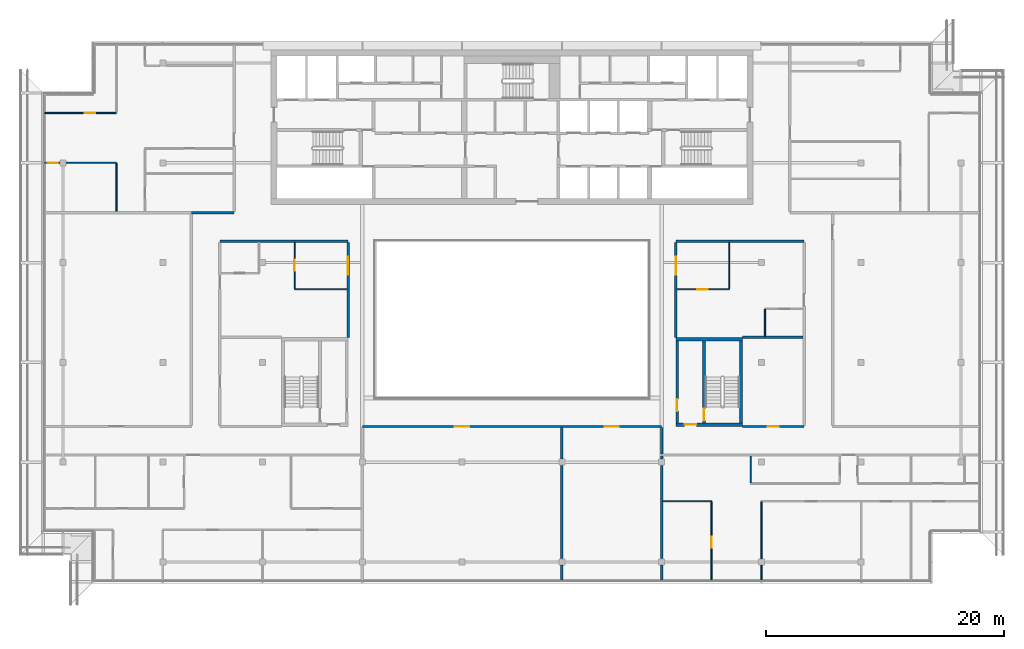
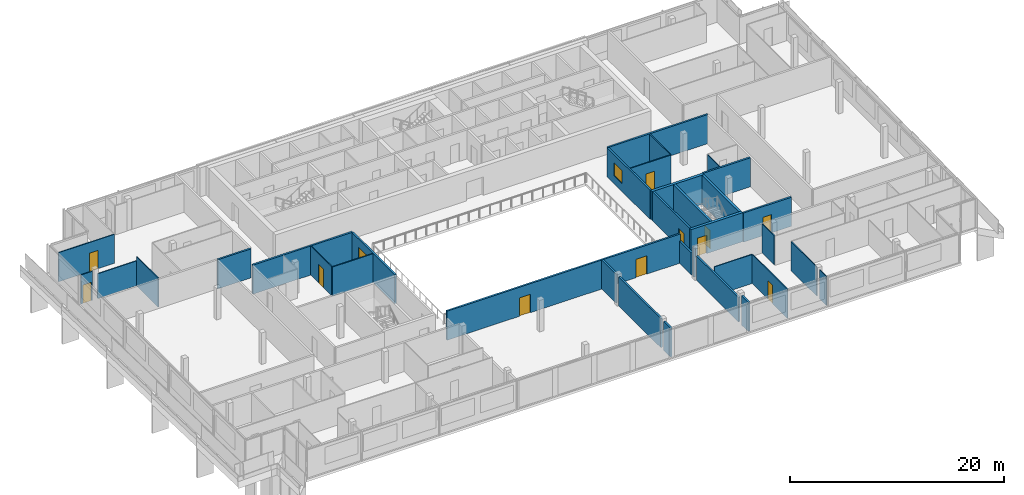
# One storey, part 17 of 27: 34 walls, 11 doors, 2 windows, 13 openings.
"""IFC4 building model written with IfcOpenShell, lengths in metres."""

from ifc_helpers import new_model, si_unit, direction, frame, frame_2d, origin, place, context, subcontext, project, spatial, rectangle, extrude, material, layer, layer_set, type_object, element, fill, save


model = new_model("IFC4")

# Units and contexts
model_context = context("Model", 3, precision=1e-05, world=origin(), true_north=direction((0.0, 1.0)))
body_context = subcontext(model_context, "Body", "Model", "MODEL_VIEW")
ifc_project = project(units=[si_unit("LENGTHUNIT", "METRE"), si_unit("AREAUNIT", "SQUARE_METRE"), si_unit("VOLUMEUNIT", "CUBIC_METRE"), si_unit("PLANEANGLEUNIT", "RADIAN"), si_unit("MASSUNIT", "GRAM", prefix="KILO")], contexts=[model_context])

# Site, building, storey
site_placement = place(None, origin())
site = spatial("IfcSite", under=ifc_project, at=site_placement, CompositionType="ELEMENT")
building_placement = place(site_placement, origin())
building = spatial("IfcBuilding", under=site, at=building_placement, Name="Saffron Gate Tower", CompositionType="ELEMENT")
storey_placement = place(building_placement, frame((0.0, 0.0, 267.14990234375)))
storey = spatial("IfcBuildingStorey", under=building, at=storey_placement, Name="L64", CompositionType="ELEMENT", Elevation=267.14990234375)

# Wall, opening, door
ifc_material_1 = material(Name="Gypsum board partition on steel studs", Category="steel")
ifc_layer_1 = layer(ifc_material_1, 0.199951171875)
ifc_layer_set_1 = layer_set([ifc_layer_1], Name="CW10 Core partition 200")
wall_type_1 = type_object("IfcWallType", Name="CW10 Core partition 200", PredefinedType="PARTITIONING", material=ifc_layer_set_1)
wall_1_placement = place(storey_placement, frame((101.5, 43.5, 0.0), z_axis=(0.0, 0.0, 1.0), x_axis=(0.0, 1.0, 0.0)))
wall_1 = element("IfcWall", 1, at=wall_1_placement, inside=storey, type_object=wall_type_1, Name="Wall CW10-L64-E-2", PredefinedType="PARTITIONING", context=body_context, shape_type="SweptSolid", body=[
    extrude(rectangle(XDim=6.89990234375, YDim=0.199951171875, at=frame_2d((3.449951171875, 0.0))), origin(), (0.0, 0.0, 1.0), 3.320068359375),
])
opening_1_placement = place(wall_1_placement, frame((1.0, 0.0, 0.0)))
opening_1 = element("IfcOpeningElement", 2, at=opening_1_placement, cuts=wall_1, Name="Opening CR-22", PredefinedType="OPENING", context=body_context, shape_type="SweptSolid", body=[
    extrude(rectangle(XDim=1.0, YDim=2.10009765625, at=frame_2d((0.5, 1.050048828125))), frame((0.0, 0.10986328125, 0.0), z_axis=(0.0, -1.0, 0.0), x_axis=(1.0, 0.0, 0.0)), (0.0, 0.0, 1.0), 0.219970703125),
])
ifc_material_2 = material(Name="Steel fire door set", Category="steel")
door_type_1 = type_object("IfcDoorType", Name="CD4 Lobby door 1000x2100 EI 120", OperationType="NOTDEFINED", PredefinedType="DOOR", material=ifc_material_2)
door_1_placement = place(opening_1_placement, origin())
door_1 = element("IfcDoor", 3, at=door_1_placement, inside=storey, type_object=door_type_1, Name="DOOR CR-22", OperationType="SINGLE_SWING_LEFT", OverallHeight=2.10009765625, OverallWidth=1.0, PredefinedType="DOOR", context=body_context, shape_type="SweptSolid", body=[
    extrude(rectangle(XDim=1.0, YDim=2.10009765625, at=frame_2d((0.5, 1.050048828125))), frame((0.0, 0.02490234375, 0.0), z_axis=(0.0, -1.0, 0.0), x_axis=(1.0, 0.0, 0.0)), (0.0, 0.0, 1.0), 0.050048828125),
])
fill(opening_1, door_1)

ifc_material_3 = material(Name="Concrete C50", Category="concrete")
ifc_layer_2 = layer(ifc_material_3, 0.25)
ifc_layer_set_2 = layer_set([ifc_layer_2], Name="CW23 RC core wall 250 C50")
wall_type_2 = type_object("IfcWallType", Name="CW23 RC core wall 250 C50", PredefinedType="SOLIDWALL", material=ifc_layer_set_2)
wall_2_placement = place(storey_placement, frame((103.77490234375, 43.5, 0.0), z_axis=(0.0, 0.0, 1.0), x_axis=(0.0, 1.0, 0.0)))
wall_2 = element("IfcWall", 4, at=wall_2_placement, inside=storey, type_object=wall_type_2, Name="Wall CW23-L64-E-3", PredefinedType="SOLIDWALL", context=body_context, shape_type="SweptSolid", body=[
    extrude(rectangle(XDim=6.89990234375, YDim=0.25, at=frame_2d((3.449951171875, 0.0))), origin(), (0.0, 0.0, 1.0), 3.320068359375),
])
opening_2_placement = place(wall_2_placement, frame((0.199951171875, 0.0, 0.0)))
opening_2 = element("IfcOpeningElement", 5, at=opening_2_placement, cuts=wall_2, Name="Opening CR-23", PredefinedType="OPENING", context=body_context, shape_type="SweptSolid", body=[
    extrude(rectangle(XDim=1.0, YDim=2.10009765625, at=frame_2d((0.5, 1.050048828125))), frame((0.0, 0.135009765625, 0.0), z_axis=(0.0, -1.0, 0.0), x_axis=(1.0, 0.0, 0.0)), (0.0, 0.0, 1.0), 0.27001953125),
])
door_type_2 = type_object("IfcDoorType", Name="CD5 Stair door 1000x2100 EI 120", OperationType="NOTDEFINED", PredefinedType="DOOR", material=ifc_material_2)
door_2_placement = place(opening_2_placement, origin())
door_2 = element("IfcDoor", 6, at=door_2_placement, inside=storey, type_object=door_type_2, Name="DOOR CR-23", OperationType="SINGLE_SWING_RIGHT", OverallHeight=2.10009765625, OverallWidth=1.0, PredefinedType="DOOR", context=body_context, shape_type="SweptSolid", body=[
    extrude(rectangle(XDim=1.0, YDim=2.10009765625, at=frame_2d((0.5, 1.050048828125))), frame((0.0, 0.02490234375, 0.0), z_axis=(0.0, -1.0, 0.0), x_axis=(1.0, 0.0, 0.0)), (0.0, 0.0, 1.0), 0.050048828125),
])
fill(opening_2, door_2)

# Wall
wall_3_placement = place(storey_placement, frame((106.875, 43.5, 0.0), z_axis=(0.0, 0.0, 1.0), x_axis=(0.0, 1.0, 0.0)))
element("IfcWall", 7, at=wall_3_placement, inside=storey, type_object=wall_type_2, Name="Wall CW23-L64-E-4", PredefinedType="SOLIDWALL", context=body_context, shape_type="SweptSolid", body=[
    extrude(rectangle(XDim=6.89990234375, YDim=0.25, at=frame_2d((3.449951171875, 0.0))), origin(), (0.0, 0.0, 1.0), 3.320068359375),
])

# Wall, opening, door
ifc_layer_3 = layer(ifc_material_3, 0.300048828125)
ifc_layer_set_3 = layer_set([ifc_layer_3], Name="CW26 RC core wall 300 C50")
wall_type_3 = type_object("IfcWallType", Name="CW26 RC core wall 300 C50", PredefinedType="SOLIDWALL", material=ifc_layer_set_3)
wall_4_placement = place(storey_placement, frame((101.39990234375, 43.35009765625, 0.0), z_axis=(0.0, 0.0, 1.0), x_axis=(1.0, 0.0, 0.0)))
wall_4 = element("IfcWall", 8, at=wall_4_placement, inside=storey, type_object=wall_type_3, Name="Wall CW26-L64-E-1", PredefinedType="SOLIDWALL", context=body_context, shape_type="SweptSolid", body=[
    extrude(rectangle(XDim=5.60009765625, YDim=0.300048828125, at=frame_2d((2.800048828125, 0.0))), origin(), (0.0, 0.0, 1.0), 3.320068359375),
])
opening_3_placement = place(wall_4_placement, frame((0.72509765625, 0.0, 0.0)))
opening_3 = element("IfcOpeningElement", 9, at=opening_3_placement, cuts=wall_4, Name="Opening CR-21", PredefinedType="OPENING", context=body_context, shape_type="SweptSolid", body=[
    extrude(rectangle(XDim=1.0, YDim=2.10009765625, at=frame_2d((0.5, 1.050048828125))), frame((0.0, 0.16015625, 0.0), z_axis=(0.0, -1.0, 0.0), x_axis=(1.0, 0.0, 0.0)), (0.0, 0.0, 1.0), 0.320068359375),
])
door_3_placement = place(opening_3_placement, origin())
door_3 = element("IfcDoor", 10, at=door_3_placement, inside=storey, type_object=door_type_1, Name="DOOR CR-21", OperationType="SINGLE_SWING_RIGHT", OverallHeight=2.10009765625, OverallWidth=1.0, PredefinedType="DOOR", context=body_context, shape_type="SweptSolid", body=[
    extrude(rectangle(XDim=1.0, YDim=2.10009765625, at=frame_2d((0.5, 1.050048828125))), frame((0.0, 0.02490234375, 0.0), z_axis=(0.0, -1.0, 0.0), x_axis=(1.0, 0.0, 0.0)), (0.0, 0.0, 1.0), 0.050048828125),
])
fill(opening_3, door_3)

# Walls
wall_5_placement = place(storey_placement, frame((101.39990234375, 50.550048828125, 0.0), z_axis=(0.0, 0.0, 1.0), x_axis=(1.0, 0.0, 0.0)))
element("IfcWall", 11, at=wall_5_placement, inside=storey, type_object=wall_type_3, Name="Wall CW26-L64-E-5", PredefinedType="SOLIDWALL", context=body_context, shape_type="SweptSolid", body=[
    extrude(rectangle(XDim=5.60009765625, YDim=0.300048828125, at=frame_2d((2.800048828125, 0.0))), origin(), (0.0, 0.0, 1.0), 3.320068359375),
])
ifc_material_4 = material(Name="Plasterboard on steel studs", Category="steel")
ifc_layer_4 = layer(ifc_material_4, 0.10009765625)
ifc_layer_set_4 = layer_set([ifc_layer_4], Name="PW1 Partition 100")
wall_type_4 = type_object("IfcWallType", Name="PW1 Partition 100", PredefinedType="PARTITIONING", material=ifc_layer_set_4)
wall_6_placement = place(storey_placement, frame((100.300048828125, 36.89990234375, 0.0), z_axis=(0.0, 0.0, 1.0), x_axis=(1.0, 0.0, 0.0)))
element("IfcWall", 12, at=wall_6_placement, inside=storey, type_object=wall_type_4, Name="Partition E1-5", PredefinedType="PARTITIONING", context=body_context, shape_type="SweptSolid", body=[
    extrude(rectangle(XDim=4.099853515625, YDim=0.10009765625, at=frame_2d((2.0498046875, 0.0))), origin(), (0.0, 0.0, 1.0), 3.320068359375),
])
wall_7_placement = place(storey_placement, frame((69.300048828125, 54.75, 0.0), z_axis=(0.0, 0.0, 1.0), x_axis=(1.0, 0.0, 0.0)))
element("IfcWall", 13, at=wall_7_placement, inside=storey, type_object=wall_type_4, Name="Partition E1-19", PredefinedType="PARTITIONING", context=body_context, shape_type="SweptSolid", body=[
    extrude(rectangle(XDim=4.39990234375, YDim=0.10009765625, at=frame_2d((2.199951171875, 0.0))), origin(), (0.0, 0.0, 1.0), 3.320068359375),
])

# Wall, opening, door
wall_8_placement = place(storey_placement, frame((101.5, 54.75, 0.0), z_axis=(0.0, 0.0, 1.0), x_axis=(1.0, 0.0, 0.0)))
wall_8 = element("IfcWall", 14, at=wall_8_placement, inside=storey, type_object=wall_type_4, Name="Partition E1-20", PredefinedType="PARTITIONING", context=body_context, shape_type="SweptSolid", body=[
    extrude(rectangle(XDim=4.39990234375, YDim=0.10009765625, at=frame_2d((2.199951171875, 0.0))), origin(), (0.0, 0.0, 1.0), 3.320068359375),
])
opening_4_placement = place(wall_8_placement, frame((1.699951171875, 0.0, 0.0)))
opening_4 = element("IfcOpeningElement", 15, at=opening_4_placement, cuts=wall_8, Name="Opening E1-25", PredefinedType="OPENING", context=body_context, shape_type="SweptSolid", body=[
    extrude(rectangle(XDim=0.89990234375, YDim=2.10009765625, at=frame_2d((0.449951171875, 1.050048828125))), frame((0.0, 0.06005859375, 0.0), z_axis=(0.0, -1.0, 0.0), x_axis=(1.0, 0.0, 0.0)), (0.0, 0.0, 1.0), 0.1201171875),
])
ifc_material_5 = material(Name="Timber door set", Category="wood")
door_type_3 = type_object("IfcDoorType", Name="RD1 Room door 900x2100", OperationType="NOTDEFINED", PredefinedType="DOOR", material=ifc_material_5)
door_4_placement = place(opening_4_placement, origin())
door_4 = element("IfcDoor", 16, at=door_4_placement, inside=storey, type_object=door_type_3, Name="Door E1-25", OperationType="SINGLE_SWING_LEFT", OverallHeight=2.10009765625, OverallWidth=0.89990234375, PredefinedType="DOOR", context=body_context, shape_type="SweptSolid", body=[
    extrude(rectangle(XDim=0.89990234375, YDim=2.10009765625, at=frame_2d((0.449951171875, 1.050048828125))), frame((0.0, 0.02490234375, 0.0), z_axis=(0.0, -1.0, 0.0), x_axis=(1.0, 0.0, 0.0)), (0.0, 0.0, 1.0), 0.050048828125),
])
fill(opening_4, door_4)

wall_9_placement = place(storey_placement, frame((49.530029296875, 65.39990234375, 0.0), z_axis=(0.0, 0.0, 1.0), x_axis=(-1.0, 0.0, 0.0)))
wall_9 = element("IfcWall", 17, at=wall_9_placement, inside=storey, type_object=wall_type_4, Name="Partition E1-30", PredefinedType="PARTITIONING", context=body_context, shape_type="SweptSolid", body=[
    extrude(rectangle(XDim=1.25, YDim=0.10009765625, at=frame_2d((0.625, 0.0))), origin(), (0.0, 0.0, 1.0), 3.320068359375),
])
opening_5_placement = place(wall_9_placement, frame((0.14990234375, 0.0, 0.0)))
opening_5 = element("IfcOpeningElement", 18, at=opening_5_placement, cuts=wall_9, Name="Opening E1-18", PredefinedType="OPENING", context=body_context, shape_type="SweptSolid", body=[
    extrude(rectangle(XDim=0.89990234375, YDim=2.10009765625, at=frame_2d((0.449951171875, 1.050048828125))), frame((0.0, 0.06005859375, 0.0), z_axis=(0.0, -1.0, 0.0), x_axis=(1.0, 0.0, 0.0)), (0.0, 0.0, 1.0), 0.1201171875),
])
door_5_placement = place(opening_5_placement, origin())
door_5 = element("IfcDoor", 19, at=door_5_placement, inside=storey, type_object=door_type_3, Name="Door E1-18", OperationType="SINGLE_SWING_LEFT", OverallHeight=2.10009765625, OverallWidth=0.89990234375, PredefinedType="DOOR", context=body_context, shape_type="SweptSolid", body=[
    extrude(rectangle(XDim=0.89990234375, YDim=2.10009765625, at=frame_2d((0.449951171875, 1.050048828125))), frame((0.0, 0.02490234375, 0.0), z_axis=(0.0, -1.0, 0.0), x_axis=(1.0, 0.0, 0.0)), (0.0, 0.0, 1.0), 0.050048828125),
])
fill(opening_5, door_5)

# Wall
wall_10_placement = place(storey_placement, frame((50.070068359375, 65.39990234375, 0.0), z_axis=(0.0, 0.0, 1.0), x_axis=(1.0, 0.0, 0.0)))
element("IfcWall", 20, at=wall_10_placement, inside=storey, type_object=wall_type_4, Name="Partition E1-31", PredefinedType="PARTITIONING", context=body_context, shape_type="SweptSolid", body=[
    extrude(rectangle(XDim=4.22998046875, YDim=0.10009765625, at=frame_2d((2.114990234375, 0.0))), origin(), (0.0, 0.0, 1.0), 2.830078125),
])

# Wall, opening, door
wall_11_placement = place(storey_placement, frame((48.280029296875, 69.60009765625, 0.0), z_axis=(0.0, 0.0, 1.0), x_axis=(1.0, 0.0, 0.0)))
wall_11 = element("IfcWall", 21, at=wall_11_placement, inside=storey, type_object=wall_type_4, Name="Partition E1-34", PredefinedType="PARTITIONING", context=body_context, shape_type="SweptSolid", body=[
    extrude(rectangle(XDim=6.02001953125, YDim=0.10009765625, at=frame_2d((3.010009765625, 0.0))), origin(), (0.0, 0.0, 1.0), 3.320068359375),
])
opening_6_placement = place(wall_11_placement, frame((3.3388671875, 0.0, 0.0)))
opening_6 = element("IfcOpeningElement", 22, at=opening_6_placement, cuts=wall_11, Name="Opening E1-19", PredefinedType="OPENING", context=body_context, shape_type="SweptSolid", body=[
    extrude(rectangle(XDim=0.89990234375, YDim=2.10009765625, at=frame_2d((0.449951171875, 1.050048828125))), frame((0.0, 0.06005859375, 0.0), z_axis=(0.0, -1.0, 0.0), x_axis=(1.0, 0.0, 0.0)), (0.0, 0.0, 1.0), 0.1201171875),
])
door_6_placement = place(opening_6_placement, origin())
door_6 = element("IfcDoor", 23, at=door_6_placement, inside=storey, type_object=door_type_3, Name="Door E1-19", OperationType="SINGLE_SWING_RIGHT", OverallHeight=2.10009765625, OverallWidth=0.89990234375, PredefinedType="DOOR", context=body_context, shape_type="SweptSolid", body=[
    extrude(rectangle(XDim=0.89990234375, YDim=2.10009765625, at=frame_2d((0.449951171875, 1.050048828125))), frame((0.0, 0.02490234375, 0.0), z_axis=(0.0, -1.0, 0.0), x_axis=(1.0, 0.0, 0.0)), (0.0, 0.0, 1.0), 0.050048828125),
])
fill(opening_6, door_6)

# Wall
wall_12_placement = place(storey_placement, frame((54.300048828125, 65.35009765625, 0.0), z_axis=(0.0, 0.0, 1.0), x_axis=(0.0, -1.0, 0.0)))
element("IfcWall", 24, at=wall_12_placement, inside=storey, type_object=wall_type_4, Name="Partition E1-41", PredefinedType="PARTITIONING", context=body_context, shape_type="SweptSolid", body=[
    extrude(rectangle(XDim=4.050048828125, YDim=0.10009765625, at=frame_2d((2.02490234375, 0.0))), origin(), (0.0, 0.0, 1.0), 3.320068359375),
])

# Wall, opening, door
wall_13_placement = place(storey_placement, frame((69.300048828125, 58.699951171875, 0.0), z_axis=(0.0, 0.0, 1.0), x_axis=(0.0, -1.0, 0.0)))
wall_13 = element("IfcWall", 25, at=wall_13_placement, inside=storey, type_object=wall_type_4, Name="Partition E1-56", PredefinedType="PARTITIONING", context=body_context, shape_type="SweptSolid", body=[
    extrude(rectangle(XDim=3.89990234375, YDim=0.10009765625, at=frame_2d((1.949951171875, 0.0))), origin(), (0.0, 0.0, 1.0), 3.320068359375),
])
opening_7_placement = place(wall_13_placement, frame((1.47509765625, 0.0, 0.0)))
opening_7 = element("IfcOpeningElement", 26, at=opening_7_placement, cuts=wall_13, Name="Opening E1-24", PredefinedType="OPENING", context=body_context, shape_type="SweptSolid", body=[
    extrude(rectangle(XDim=0.89990234375, YDim=2.10009765625, at=frame_2d((0.449951171875, 1.050048828125))), frame((0.0, 0.06005859375, 0.0), z_axis=(0.0, -1.0, 0.0), x_axis=(1.0, 0.0, 0.0)), (0.0, 0.0, 1.0), 0.1201171875),
])
door_7_placement = place(opening_7_placement, origin())
door_7 = element("IfcDoor", 27, at=door_7_placement, inside=storey, type_object=door_type_3, Name="Door E1-24", OperationType="SINGLE_SWING_LEFT", OverallHeight=2.10009765625, OverallWidth=0.89990234375, PredefinedType="DOOR", context=body_context, shape_type="SweptSolid", body=[
    extrude(rectangle(XDim=0.89990234375, YDim=2.10009765625, at=frame_2d((0.449951171875, 1.050048828125))), frame((0.0, 0.02490234375, 0.0), z_axis=(0.0, -1.0, 0.0), x_axis=(1.0, 0.0, 0.0)), (0.0, 0.0, 1.0), 0.050048828125),
])
fill(opening_7, door_7)

wall_14_placement = place(storey_placement, frame((104.39990234375, 30.280029296875, 0.0), z_axis=(0.0, 0.0, 1.0), x_axis=(0.0, 1.0, 0.0)))
wall_14 = element("IfcWall", 28, at=wall_14_placement, inside=storey, type_object=wall_type_4, Name="Partition E1-70", PredefinedType="PARTITIONING", context=body_context, shape_type="SweptSolid", body=[
    extrude(rectangle(XDim=6.570068359375, YDim=0.10009765625, at=frame_2d((3.28515625, 0.0))), origin(), (0.0, 0.0, 1.0), 3.320068359375),
])
opening_8_placement = place(wall_14_placement, frame((2.719970703125, 0.0, 0.0)))
opening_8 = element("IfcOpeningElement", 29, at=opening_8_placement, cuts=wall_14, Name="Opening E1-12", PredefinedType="OPENING", context=body_context, shape_type="SweptSolid", body=[
    extrude(rectangle(XDim=0.89990234375, YDim=2.10009765625, at=frame_2d((0.449951171875, 1.050048828125))), frame((0.0, 0.06005859375, 0.0), z_axis=(0.0, -1.0, 0.0), x_axis=(1.0, 0.0, 0.0)), (0.0, 0.0, 1.0), 0.1201171875),
])
door_8_placement = place(opening_8_placement, origin())
door_8 = element("IfcDoor", 30, at=door_8_placement, inside=storey, type_object=door_type_3, Name="Door E1-12", OperationType="SINGLE_SWING_LEFT", OverallHeight=2.10009765625, OverallWidth=0.89990234375, PredefinedType="DOOR", context=body_context, shape_type="SweptSolid", body=[
    extrude(rectangle(XDim=0.89990234375, YDim=2.10009765625, at=frame_2d((0.449951171875, 1.050048828125))), frame((0.0, 0.02490234375, 0.0), z_axis=(0.0, -1.0, 0.0), x_axis=(1.0, 0.0, 0.0)), (0.0, 0.0, 1.0), 0.050048828125),
])
fill(opening_8, door_8)

# Walls
wall_15_placement = place(storey_placement, frame((105.89990234375, 58.699951171875, 0.0), z_axis=(0.0, 0.0, 1.0), x_axis=(0.0, -1.0, 0.0)))
element("IfcWall", 31, at=wall_15_placement, inside=storey, type_object=wall_type_4, Name="Partition E1-71", PredefinedType="PARTITIONING", context=body_context, shape_type="SweptSolid", body=[
    extrude(rectangle(XDim=3.89990234375, YDim=0.10009765625, at=frame_2d((1.949951171875, 0.0))), origin(), (0.0, 0.0, 1.0), 3.320068359375),
])
wall_16_placement = place(storey_placement, frame((107.699951171875, 40.699951171875, 0.0), z_axis=(0.0, 0.0, 1.0), x_axis=(0.0, -1.0, 0.0)))
element("IfcWall", 32, at=wall_16_placement, inside=storey, type_object=wall_type_4, Name="Partition E1-72", PredefinedType="PARTITIONING", context=body_context, shape_type="SweptSolid", body=[
    extrude(rectangle(XDim=2.25, YDim=0.10009765625, at=frame_2d((1.125, 0.0))), origin(), (0.0, 0.0, 1.0), 3.320068359375),
])
wall_17_placement = place(storey_placement, frame((108.60009765625, 31.530029296875, 0.0), z_axis=(0.0, 0.0, 1.0), x_axis=(0.0, -1.0, 0.0)))
element("IfcWall", 33, at=wall_17_placement, inside=storey, type_object=wall_type_4, Name="Partition E1-73", PredefinedType="PARTITIONING", context=body_context, shape_type="SweptSolid", body=[
    extrude(rectangle(XDim=1.25, YDim=0.10009765625, at=frame_2d((0.625, 0.0))), origin(), (0.0, 0.0, 1.0), 3.320068359375),
])
wall_18_placement = place(storey_placement, frame((108.60009765625, 36.85009765625, 0.0), z_axis=(0.0, 0.0, 1.0), x_axis=(0.0, -1.0, 0.0)))
element("IfcWall", 34, at=wall_18_placement, inside=storey, type_object=wall_type_4, Name="Partition E1-74", PredefinedType="PARTITIONING", context=body_context, shape_type="SweptSolid", body=[
    extrude(rectangle(XDim=4.780029296875, YDim=0.10009765625, at=frame_2d((2.39013671875, 0.0))), origin(), (0.0, 0.0, 1.0), 3.320068359375),
])
wall_19_placement = place(storey_placement, frame((108.89990234375, 53.050048828125, 0.0), z_axis=(0.0, 0.0, 1.0), x_axis=(0.0, -1.0, 0.0)))
element("IfcWall", 35, at=wall_19_placement, inside=storey, type_object=wall_type_4, Name="Partition E1-75", PredefinedType="PARTITIONING", context=body_context, shape_type="SweptSolid", body=[
    extrude(rectangle(XDim=2.25, YDim=0.10009765625, at=frame_2d((1.125, 0.0))), origin(), (0.0, 0.0, 1.0), 3.320068359375),
])
ifc_material_6 = material(Name="Clay brick masonry, rendered", Category="masonry")
ifc_layer_5 = layer(ifc_material_6, 0.199951171875)
ifc_layer_set_5 = layer_set([ifc_layer_5], Name="PW2 Demising wall 200")
wall_type_5 = type_object("IfcWallType", Name="PW2 Demising wall 200", PredefinedType="PARTITIONING", material=ifc_layer_set_5)
wall_20_placement = place(storey_placement, frame((107.0, 50.699951171875, 0.0), z_axis=(0.0, 0.0, 1.0), x_axis=(1.0, 0.0, 0.0)))
element("IfcWall", 36, at=wall_20_placement, inside=storey, type_object=wall_type_5, Name="Wall E1-17", PredefinedType="PARTITIONING", context=body_context, shape_type="SweptSolid", body=[
    extrude(rectangle(XDim=5.10009765625, YDim=0.199951171875, at=frame_2d((2.550048828125, 0.0))), origin(), (0.0, 0.0, 1.0), 3.320068359375),
])

# Wall, openings, doors
ifc_layer_6 = layer(ifc_material_6, 0.199951171875)
ifc_layer_set_6 = layer_set([ifc_layer_6], Name="PW3 Corridor wall 200")
wall_type_6 = type_object("IfcWallType", Name="PW3 Corridor wall 200", PredefinedType="PARTITIONING", material=ifc_layer_set_6)
wall_21_placement = place(storey_placement, frame((100.199951171875, 43.199951171875, 0.0), z_axis=(0.0, 0.0, 1.0), x_axis=(-1.0, 0.0, 0.0)))
wall_21 = element("IfcWall", 37, at=wall_21_placement, inside=storey, type_object=wall_type_6, Name="Wall E1-13", PredefinedType="PARTITIONING", context=body_context, shape_type="SweptSolid", body=[
    extrude(rectangle(XDim=25.199951171875, YDim=0.199951171875, at=frame_2d((12.60009765625, 0.0))), origin(), (0.0, 0.0, 1.0), 3.320068359375),
])
opening_9_placement = place(wall_21_placement, frame((3.60009765625, 0.0, 0.0)))
opening_9 = element("IfcOpeningElement", 38, at=opening_9_placement, cuts=wall_21, Name="Opening E1-39", PredefinedType="OPENING", context=body_context, shape_type="SweptSolid", body=[
    extrude(rectangle(XDim=1.199951171875, YDim=2.10009765625, at=frame_2d((0.60009765625, 1.050048828125))), frame((0.0, 0.10986328125, 0.0), z_axis=(0.0, -1.0, 0.0), x_axis=(1.0, 0.0, 0.0)), (0.0, 0.0, 1.0), 0.219970703125),
])
opening_10_placement = place(wall_21_placement, frame((16.199951171875, 0.0, 0.0)))
opening_10 = element("IfcOpeningElement", 39, at=opening_10_placement, cuts=wall_21, Name="Opening E1-38", PredefinedType="OPENING", context=body_context, shape_type="SweptSolid", body=[
    extrude(rectangle(XDim=1.199951171875, YDim=2.10009765625, at=frame_2d((0.60009765625, 1.050048828125))), frame((0.0, 0.10986328125, 0.0), z_axis=(0.0, -1.0, 0.0), x_axis=(1.0, 0.0, 0.0)), (0.0, 0.0, 1.0), 0.219970703125),
])
door_type_4 = type_object("IfcDoorType", Name="HD1 Hall door 1200x2100", OperationType="NOTDEFINED", PredefinedType="DOOR", material=ifc_material_5)
door_9_placement = place(opening_9_placement, origin())
door_9 = element("IfcDoor", 40, at=door_9_placement, inside=storey, type_object=door_type_4, Name="Door E1-39", OperationType="SINGLE_SWING_RIGHT", OverallHeight=2.10009765625, OverallWidth=1.199951171875, PredefinedType="DOOR", context=body_context, shape_type="SweptSolid", body=[
    extrude(rectangle(XDim=1.199951171875, YDim=2.10009765625, at=frame_2d((0.60009765625, 1.050048828125))), frame((0.0, 0.02490234375, 0.0), z_axis=(0.0, -1.0, 0.0), x_axis=(1.0, 0.0, 0.0)), (0.0, 0.0, 1.0), 0.050048828125),
])
fill(opening_9, door_9)
door_10_placement = place(opening_10_placement, origin())
door_10 = element("IfcDoor", 41, at=door_10_placement, inside=storey, type_object=door_type_4, Name="Door E1-38", OperationType="SINGLE_SWING_LEFT", OverallHeight=2.10009765625, OverallWidth=1.199951171875, PredefinedType="DOOR", context=body_context, shape_type="SweptSolid", body=[
    extrude(rectangle(XDim=1.199951171875, YDim=2.10009765625, at=frame_2d((0.60009765625, 1.050048828125))), frame((0.0, 0.02490234375, 0.0), z_axis=(0.0, -1.0, 0.0), x_axis=(1.0, 0.0, 0.0)), (0.0, 0.0, 1.0), 0.050048828125),
])
fill(opening_10, door_10)

# Wall, opening, door
wall_22_placement = place(storey_placement, frame((107.0, 43.199951171875, 0.0), z_axis=(0.0, 0.0, 1.0), x_axis=(1.0, 0.0, 0.0)))
wall_22 = element("IfcWall", 42, at=wall_22_placement, inside=storey, type_object=wall_type_6, Name="Wall E1-14", PredefinedType="PARTITIONING", context=body_context, shape_type="SweptSolid", body=[
    extrude(rectangle(XDim=5.199951171875, YDim=0.199951171875, at=frame_2d((2.60009765625, 0.0))), origin(), (0.0, 0.0, 1.0), 3.320068359375),
])
opening_11_placement = place(wall_22_placement, frame((2.14990234375, 0.0, 0.0)))
opening_11 = element("IfcOpeningElement", 43, at=opening_11_placement, cuts=wall_22, Name="Opening E1-35", PredefinedType="OPENING", context=body_context, shape_type="SweptSolid", body=[
    extrude(rectangle(XDim=0.89990234375, YDim=2.10009765625, at=frame_2d((0.449951171875, 1.050048828125))), frame((0.0, 0.10986328125, 0.0), z_axis=(0.0, -1.0, 0.0), x_axis=(1.0, 0.0, 0.0)), (0.0, 0.0, 1.0), 0.219970703125),
])
door_type_5 = type_object("IfcDoorType", Name="SD1 Service door 900x2100", OperationType="NOTDEFINED", PredefinedType="DOOR", material=ifc_material_2)
door_11_placement = place(opening_11_placement, origin())
door_11 = element("IfcDoor", 44, at=door_11_placement, inside=storey, type_object=door_type_5, Name="Door E1-35", OperationType="SINGLE_SWING_LEFT", OverallHeight=2.10009765625, OverallWidth=0.89990234375, PredefinedType="DOOR", context=body_context, shape_type="SweptSolid", body=[
    extrude(rectangle(XDim=0.89990234375, YDim=2.10009765625, at=frame_2d((0.449951171875, 1.050048828125))), frame((0.0, 0.02490234375, 0.0), z_axis=(0.0, -1.0, 0.0), x_axis=(1.0, 0.0, 0.0)), (0.0, 0.0, 1.0), 0.050048828125),
])
fill(opening_11, door_11)

# Walls
for number, where, z_axis, x_axis, name in (
    (45, (63.0, 58.800048828125, 0.0), (0.0, 0.0, 1.0), (1.0, 0.0, 0.0), "Wall E1-22"),
    (46, (101.39990234375, 58.800048828125, 0.0), (0.0, 0.0, 1.0), (1.0, 0.0, 0.0), "Wall E1-23"),
):
    element("IfcWall", number, at=place(storey_placement, frame(where, z_axis=z_axis, x_axis=x_axis)), inside=storey, type_object=wall_type_6, Name=name, PredefinedType="PARTITIONING", context=body_context, shape_type="SweptSolid", body=[
        extrude(rectangle(XDim=10.800048828125, YDim=0.199951171875, at=frame_2d((5.39990234375, 0.0))), origin(), (0.0, 0.0, 1.0), 3.320068359375),
    ])
wall_23_placement = place(storey_placement, frame((60.60009765625, 61.199951171875, 0.0), z_axis=(0.0, 0.0, 1.0), x_axis=(1.0, 0.0, 0.0)))
element("IfcWall", 47, at=wall_23_placement, inside=storey, type_object=wall_type_6, Name="Wall E1-24", PredefinedType="PARTITIONING", context=body_context, shape_type="SweptSolid", body=[
    extrude(rectangle(XDim=3.599853515625, YDim=0.199951171875, at=frame_2d((1.7998046875, 0.0))), origin(), (0.0, 0.0, 1.0), 3.320068359375),
])

# Wall, opening, window
wall_24_placement = place(storey_placement, frame((73.800048828125, 58.699951171875, 0.0), z_axis=(0.0, 0.0, 1.0), x_axis=(0.0, -1.0, 0.0)))
wall_24 = element("IfcWall", 48, at=wall_24_placement, inside=storey, type_object=wall_type_6, Name="Wall E1-57", PredefinedType="PARTITIONING", context=body_context, shape_type="SweptSolid", body=[
    extrude(rectangle(XDim=8.0, YDim=0.199951171875, at=frame_2d((4.0, 0.0))), origin(), (0.0, 0.0, 1.0), 3.320068359375),
])
opening_12_placement = place(wall_24_placement, frame((1.22509765625, 0.0, 0.89990234375)))
opening_12 = element("IfcOpeningElement", 49, at=opening_12_placement, cuts=wall_24, Name="Opening GW1", PredefinedType="OPENING", context=body_context, shape_type="SweptSolid", body=[
    extrude(rectangle(XDim=1.5, YDim=1.5, at=frame_2d((0.75, 0.75))), frame((0.0, 0.10986328125, 0.0), z_axis=(0.0, -1.0, 0.0), x_axis=(1.0, 0.0, 0.0)), (0.0, 0.0, 1.0), 0.219970703125),
])
ifc_material_7 = material(Name="Fire-resisting laminated glass in steel frame", Category="steel")
ifc_layer_7 = layer(ifc_material_7, 0.06005859375)
ifc_layer_set_7 = layer_set([ifc_layer_7], Name="GW1 Gallery window 1500x1500")
window_type = type_object("IfcWindowType", Name="GW1 Gallery window 1500x1500", PartitioningType="SINGLE_PANEL", PredefinedType="WINDOW", material=ifc_layer_set_7)
window_1_placement = place(opening_12_placement, origin())
window_1 = element("IfcWindow", 50, at=window_1_placement, inside=storey, type_object=window_type, Name="GW1 window E1-H-B1", OverallHeight=1.5, OverallWidth=1.5, PartitioningType="SINGLE_PANEL", PredefinedType="WINDOW", context=body_context, shape_type="SweptSolid", body=[
    extrude(rectangle(XDim=1.5, YDim=1.5, at=frame_2d((0.75, 0.75))), frame((0.0, 0.030029296875, 0.0), z_axis=(0.0, -1.0, 0.0), x_axis=(1.0, 0.0, 0.0)), (0.0, 0.0, 1.0), 0.06005859375),
])
fill(opening_12, window_1)

# Wall
wall_25_placement = place(storey_placement, frame((100.199951171875, 43.10009765625, 0.0), z_axis=(0.0, 0.0, 1.0), x_axis=(0.0, -1.0, 0.0)))
element("IfcWall", 51, at=wall_25_placement, inside=storey, type_object=wall_type_6, Name="Wall E1-65", PredefinedType="PARTITIONING", context=body_context, shape_type="SweptSolid", body=[
    extrude(rectangle(XDim=2.2001953125, YDim=0.199951171875, at=frame_2d((1.10009765625, 0.0))), origin(), (0.0, 0.0, 1.0), 2.530029296875),
])

# Wall, opening, window
wall_26_placement = place(storey_placement, frame((101.39990234375, 58.699951171875, 0.0), z_axis=(0.0, 0.0, 1.0), x_axis=(0.0, -1.0, 0.0)))
wall_26 = element("IfcWall", 52, at=wall_26_placement, inside=storey, type_object=wall_type_6, Name="Wall E1-69", PredefinedType="PARTITIONING", context=body_context, shape_type="SweptSolid", body=[
    extrude(rectangle(XDim=8.0, YDim=0.199951171875, at=frame_2d((4.0, 0.0))), origin(), (0.0, 0.0, 1.0), 3.320068359375),
])
opening_13_placement = place(wall_26_placement, frame((1.22509765625, 0.0, 0.89990234375)))
opening_13 = element("IfcOpeningElement", 53, at=opening_13_placement, cuts=wall_26, Name="Opening GW1", PredefinedType="OPENING", context=body_context, shape_type="SweptSolid", body=[
    extrude(rectangle(XDim=1.5, YDim=1.5, at=frame_2d((0.75, 0.75))), frame((0.0, 0.10986328125, 0.0), z_axis=(0.0, -1.0, 0.0), x_axis=(1.0, 0.0, 0.0)), (0.0, 0.0, 1.0), 0.219970703125),
])
window_2_placement = place(opening_13_placement, origin())
window_2 = element("IfcWindow", 54, at=window_2_placement, inside=storey, type_object=window_type, Name="GW1 window E1-J-B1", OverallHeight=1.5, OverallWidth=1.5, PartitioningType="SINGLE_PANEL", PredefinedType="WINDOW", context=body_context, shape_type="SweptSolid", body=[
    extrude(rectangle(XDim=1.5, YDim=1.5, at=frame_2d((0.75, 0.75))), frame((0.0, 0.030029296875, 0.0), z_axis=(0.0, -1.0, 0.0), x_axis=(1.0, 0.0, 0.0)), (0.0, 0.0, 1.0), 0.06005859375),
])
fill(opening_13, window_2)

# Walls
ifc_layer_8 = layer(ifc_material_6, 0.199951171875)
ifc_layer_set_8 = layer_set([ifc_layer_8], Name="PW5 Room wall 200")
wall_type_7 = type_object("IfcWallType", Name="PW5 Room wall 200", PredefinedType="PARTITIONING", material=ifc_layer_set_8)
wall_27_placement = place(storey_placement, frame((91.800048828125, 31.530029296875, 0.0), z_axis=(0.0, 0.0, 1.0), x_axis=(0.0, -1.0, 0.0)))
element("IfcWall", 55, at=wall_27_placement, inside=storey, type_object=wall_type_7, Name="Wall E1-62", PredefinedType="PARTITIONING", context=body_context, shape_type="SweptSolid", body=[
    extrude(rectangle(XDim=1.25, YDim=0.199951171875, at=frame_2d((0.625, 0.0))), origin(), (0.0, 0.0, 1.0), 3.320068359375),
])
wall_28_placement = place(storey_placement, frame((91.800048828125, 39.929931640625, 0.0), z_axis=(0.0, 0.0, 1.0), x_axis=(0.0, -1.0, 0.0)))
element("IfcWall", 56, at=wall_28_placement, inside=storey, type_object=wall_type_7, Name="Wall E1-63", PredefinedType="PARTITIONING", context=body_context, shape_type="SweptSolid", body=[
    extrude(rectangle(XDim=7.85986328125, YDim=0.199951171875, at=frame_2d((3.929931640625, 0.0))), origin(), (0.0, 0.0, 1.0), 3.320068359375),
])
wall_29_placement = place(storey_placement, frame((91.800048828125, 43.10009765625, 0.0), z_axis=(0.0, 0.0, 1.0), x_axis=(0.0, -1.0, 0.0)))
element("IfcWall", 57, at=wall_29_placement, inside=storey, type_object=wall_type_7, Name="Wall E1-64", PredefinedType="PARTITIONING", context=body_context, shape_type="SweptSolid", body=[
    extrude(rectangle(XDim=2.630126953125, YDim=0.199951171875, at=frame_2d((1.31494140625, 0.0))), origin(), (0.0, 0.0, 1.0), 3.320068359375),
])
wall_30_placement = place(storey_placement, frame((100.199951171875, 31.530029296875, 0.0), z_axis=(0.0, 0.0, 1.0), x_axis=(0.0, -1.0, 0.0)))
element("IfcWall", 58, at=wall_30_placement, inside=storey, type_object=wall_type_7, Name="Wall E1-66", PredefinedType="PARTITIONING", context=body_context, shape_type="SweptSolid", body=[
    extrude(rectangle(XDim=1.25, YDim=0.199951171875, at=frame_2d((0.625, 0.0))), origin(), (0.0, 0.0, 1.0), 3.320068359375),
])
wall_31_placement = place(storey_placement, frame((100.199951171875, 39.929931640625, 0.0), z_axis=(0.0, 0.0, 1.0), x_axis=(0.0, -1.0, 0.0)))
element("IfcWall", 59, at=wall_31_placement, inside=storey, type_object=wall_type_7, Name="Wall E1-67", PredefinedType="PARTITIONING", context=body_context, shape_type="SweptSolid", body=[
    extrude(rectangle(XDim=7.85986328125, YDim=0.199951171875, at=frame_2d((3.929931640625, 0.0))), origin(), (0.0, 0.0, 1.0), 2.77001953125),
])
wall_32_placement = place(storey_placement, frame((100.199951171875, 40.699951171875, 0.0), z_axis=(0.0, 0.0, 1.0), x_axis=(0.0, -1.0, 0.0)))
element("IfcWall", 60, at=wall_32_placement, inside=storey, type_object=wall_type_7, Name="Wall E1-68", PredefinedType="PARTITIONING", context=body_context, shape_type="SweptSolid", body=[
    extrude(rectangle(XDim=0.22998046875, YDim=0.199951171875, at=frame_2d((0.114990234375, 0.0))), origin(), (0.0, 0.0, 1.0), 3.320068359375),
])

save(model, "model.ifc")
